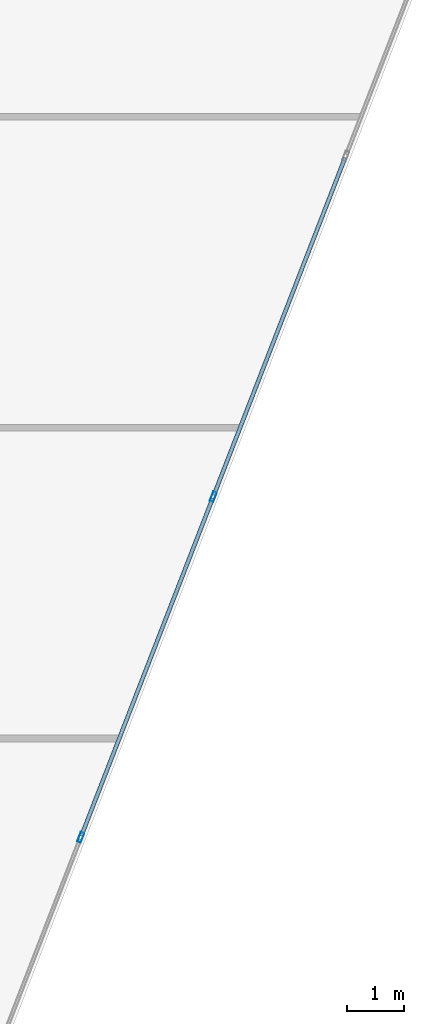
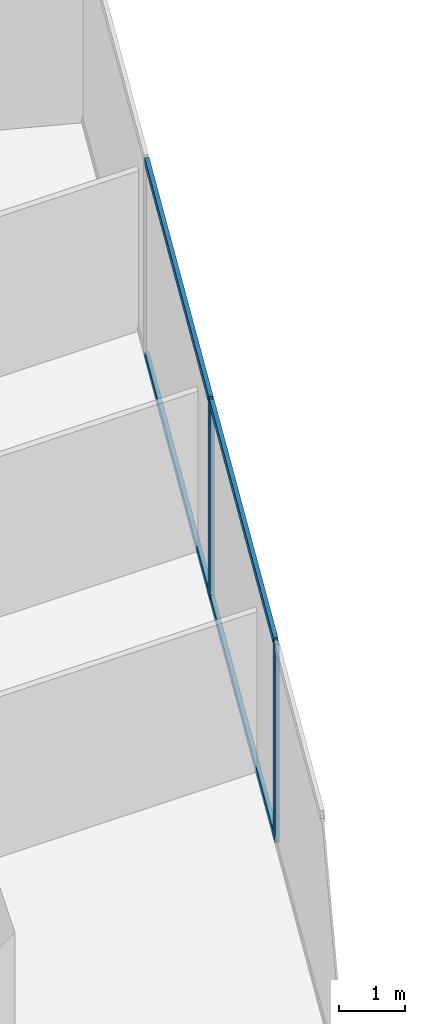
# One storey, part 12 of 26: 6 members, 1 element without a shape of its own.
"""IFC4 building model written with IfcOpenShell, lengths in metres."""

from ifc_helpers import new_model, si_unit, direction, frame, origin, origin_2d, place, context, subcontext, project, spatial, hollow_rectangle, extrude, source, transform, mapped, material, material_profile, profile_set, type_object, type_shapes, element, aggregate, save


model = new_model("IFC4")

# Units and contexts
model_context = context("Model", 3, precision=1e-05, world=origin(), true_north=direction((0.0, 1.0)))
body_context = subcontext(model_context, "Body", "Model", "MODEL_VIEW")
ifc_project = project(units=[si_unit("LENGTHUNIT", "METRE"), si_unit("AREAUNIT", "SQUARE_METRE"), si_unit("VOLUMEUNIT", "CUBIC_METRE"), si_unit("PLANEANGLEUNIT", "RADIAN"), si_unit("MASSUNIT", "GRAM", prefix="KILO")], contexts=[model_context])

# Site, building, storey
site_placement = place(None, origin())
site = spatial("IfcSite", under=ifc_project, at=site_placement, CompositionType="ELEMENT")
building_placement = place(site_placement, origin())
building = spatial("IfcBuilding", under=site, at=building_placement, Name="Krantzveldt Concourse Tower", CompositionType="ELEMENT")
storey_placement = place(building_placement, frame((0.0, 0.0, 133.5)))
storey = spatial("IfcBuildingStorey", under=building, at=storey_placement, Name="L32", CompositionType="ELEMENT", Elevation=133.5)

# Curtain wall, members
ifc_material = material(Name="Anodised aluminium 6063-T6", Category="aluminium")
curtain_wall_type = type_object("IfcCurtainWallType", Name="CW2", PredefinedType="USERDEFINED", material=ifc_material)
curtain_wall_placement = place(storey_placement, origin())
curtain_wall = element("IfcCurtainWall", 1, at=curtain_wall_placement, inside=storey, type_object=curtain_wall_type, Name="CW-L32-F11", ObjectType="UNITISED CURTAIN WALL", PredefinedType="USERDEFINED")
ifc_material_profile_1 = material_profile(ifc_material, hollow_rectangle(XDim=0.070068359375, YDim=0.179931640625, WallThickness=0.0048828125, at=origin_2d()), Name="Anodised aluminium 6063-T6", Category="aluminium")
ifc_profile_set_1 = profile_set([ifc_material_profile_1], Name="Anodised aluminium 6063-T6 - ALU-MULL 180x70x5")
member_type_1 = type_object("IfcMemberType", Name="CW-MUL-180", PredefinedType="MULLION", material=ifc_profile_set_1)
shared_shape_1 = source(origin(), body_context, "Body", "SweptSolid", [
    extrude(hollow_rectangle(XDim=0.070068359375, YDim=0.179931640625, WallThickness=0.0048828125, at=origin_2d()), origin(), (0.0, 0.0, 1.0), 3.669921875),
])
type_shapes(member_type_1, [shared_shape_1])
member_1_placement = place(storey_placement, frame((57.72509765625, 18.25146484375, 0.0), z_axis=(0.0, 0.0, 1.0), x_axis=(-0.93200790248, 0.362437952917, 0.0)))
member_1 = element("IfcMember", 2, at=member_1_placement, type_object=member_type_1, Name="CW-Z12 mullion 4", PredefinedType="MULLION", context=body_context, shape_type="MappedRepresentation", body=[
    mapped(shared_shape_1, transform((0.0, 0.0, 0.0), x_axis=(1.0, 0.0, 0.0), y_axis=(0.0, 1.0, 0.0), z_axis=(0.0, 0.0, 1.0), scale=1.0)),
])
member_2_placement = place(storey_placement, frame((60.06884765625, 24.278564453125, 0.0), z_axis=(0.0, 0.0, 1.0), x_axis=(-0.93200790248, 0.362437952917, 0.0)))
member_2 = element("IfcMember", 3, at=member_2_placement, type_object=member_type_1, Name="CW-Z12 mullion 5", PredefinedType="MULLION", context=body_context, shape_type="MappedRepresentation", body=[
    mapped(shared_shape_1, transform((0.0, 0.0, 0.0), x_axis=(1.0, 0.0, 0.0), y_axis=(0.0, 1.0, 0.0), z_axis=(0.0, 0.0, 1.0), scale=1.0)),
])
ifc_material_profile_2 = material_profile(ifc_material, hollow_rectangle(XDim=0.070068359375, YDim=0.139892578125, WallThickness=0.0048828125, at=origin_2d()), Name="Anodised aluminium 6063-T6", Category="aluminium")
ifc_profile_set_2 = profile_set([ifc_material_profile_2], Name="Anodised aluminium 6063-T6 - ALU-TRAN 140x70x5")
member_type_2 = type_object("IfcMemberType", Name="CW-TRN-150", PredefinedType="USERDEFINED", material=ifc_profile_set_2)
shared_shape_2 = source(origin(), body_context, "Body", "SweptSolid", [
    extrude(hollow_rectangle(XDim=0.070068359375, YDim=0.139892578125, WallThickness=0.0048828125, at=origin_2d()), origin(), (0.0, 0.0, 1.0), 6.396484375),
])
type_shapes(member_type_2, [shared_shape_2])
member_3_placement = place(storey_placement, frame((57.73779296875, 18.2841796875, 0.034912109375), z_axis=(0.36243705186, 0.932008252882, 0.0), x_axis=(-0.932008252882, 0.36243705186, 0.0)))
member_3 = element("IfcMember", 4, at=member_3_placement, type_object=member_type_2, Name="CW-Z12 transom 4.1", ObjectType="TRANSOM", PredefinedType="USERDEFINED", context=body_context, shape_type="MappedRepresentation", body=[
    mapped(shared_shape_2, transform((0.0, 0.0, 0.0), x_axis=(1.0, 0.0, 0.0), y_axis=(0.0, 1.0, 0.0), z_axis=(0.0, 0.0, 1.0), scale=1.0)),
])
member_4_placement = place(storey_placement, frame((57.73779296875, 18.2841796875, 3.635009765625), z_axis=(0.36243705186, 0.932008252882, 0.0), x_axis=(-0.932008252882, 0.36243705186, 0.0)))
member_4 = element("IfcMember", 5, at=member_4_placement, type_object=member_type_2, Name="CW-Z12 transom 4.2", ObjectType="TRANSOM", PredefinedType="USERDEFINED", context=body_context, shape_type="MappedRepresentation", body=[
    mapped(shared_shape_2, transform((0.0, 0.0, 0.0), x_axis=(1.0, 0.0, 0.0), y_axis=(0.0, 1.0, 0.0), z_axis=(0.0, 0.0, 1.0), scale=1.0)),
])
member_5_placement = place(storey_placement, frame((60.08154296875, 24.311279296875, 0.034912109375), z_axis=(0.36243705186, 0.932008252882, 0.0), x_axis=(-0.932008252882, 0.36243705186, 0.0)))
member_5 = element("IfcMember", 6, at=member_5_placement, type_object=member_type_2, Name="CW-Z12 transom 5.1", ObjectType="TRANSOM", PredefinedType="USERDEFINED", context=body_context, shape_type="MappedRepresentation", body=[
    mapped(shared_shape_2, transform((0.0, 0.0, 0.0), x_axis=(1.0, 0.0, 0.0), y_axis=(0.0, 1.0, 0.0), z_axis=(0.0, 0.0, 1.0), scale=1.0)),
])
member_6_placement = place(storey_placement, frame((60.08154296875, 24.311279296875, 3.635009765625), z_axis=(0.36243705186, 0.932008252882, 0.0), x_axis=(-0.932008252882, 0.36243705186, 0.0)))
member_6 = element("IfcMember", 7, at=member_6_placement, type_object=member_type_2, Name="CW-Z12 transom 5.2", ObjectType="TRANSOM", PredefinedType="USERDEFINED", context=body_context, shape_type="MappedRepresentation", body=[
    mapped(shared_shape_2, transform((0.0, 0.0, 0.0), x_axis=(1.0, 0.0, 0.0), y_axis=(0.0, 1.0, 0.0), z_axis=(0.0, 0.0, 1.0), scale=1.0)),
])
aggregate(curtain_wall, [member_1, member_2, member_3, member_4, member_5, member_6])

save(model, "model.ifc")
